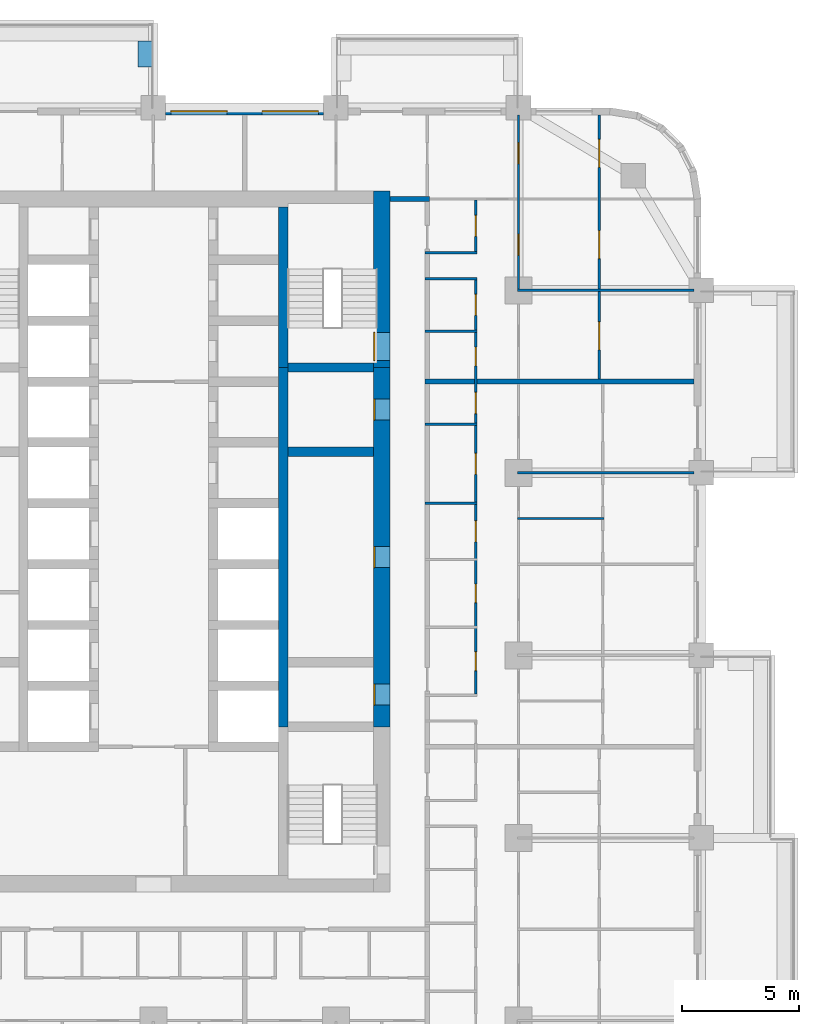
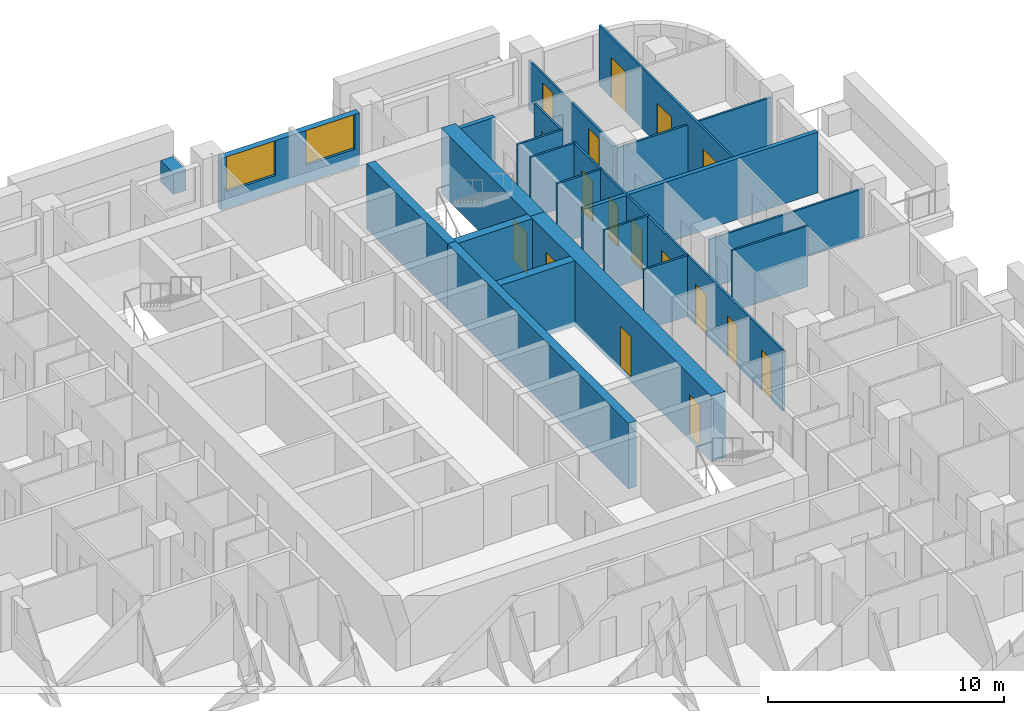
# One storey, part 12 of 17: 22 walls, 17 doors, 2 windows, 19 openings.
"""IFC4 building model written with IfcOpenShell, lengths in metres."""

from ifc_helpers import new_model, si_unit, direction, frame, frame_2d, origin, place, context, subcontext, project, spatial, rectangle, extrude, material, layer, layer_set, type_object, element, fill, save


model = new_model("IFC4")

# Units and contexts
model_context = context("Model", 3, precision=1e-05, world=origin(), true_north=direction((0.0, 1.0)))
body_context = subcontext(model_context, "Body", "Model", "MODEL_VIEW")
ifc_project = project(units=[si_unit("LENGTHUNIT", "METRE"), si_unit("AREAUNIT", "SQUARE_METRE"), si_unit("VOLUMEUNIT", "CUBIC_METRE"), si_unit("PLANEANGLEUNIT", "RADIAN"), si_unit("MASSUNIT", "GRAM", prefix="KILO")], contexts=[model_context])

# Site, building, storey
site_placement = place(None, origin())
site = spatial("IfcSite", under=ifc_project, at=site_placement, CompositionType="ELEMENT")
building_placement = place(site_placement, origin())
building = spatial("IfcBuilding", under=site, at=building_placement, Name="Ludao Terraces", CompositionType="ELEMENT")
storey_placement = place(building_placement, frame((0.0, 0.0, 22.89990234375)))
storey = spatial("IfcBuildingStorey", under=building, at=storey_placement, Name="L05", CompositionType="ELEMENT", Elevation=22.89990234375)

# Wall, openings, doors
ifc_material_1 = material(Name="Concrete C70", Category="concrete")
ifc_layer_1 = layer(ifc_material_1, 0.699951171875)
ifc_layer_set_1 = layer_set([ifc_layer_1], Name="Core wall 700 C70")
wall_type_1 = type_object("IfcWallType", Name="Core wall 700 C70", PredefinedType="SOLIDWALL", material=ifc_layer_set_1)
wall_1_placement = place(storey_placement, frame((94.75, 61.949951171875, -0.25), z_axis=(0.0, 0.0, 1.0), x_axis=(0.0, 1.0, 0.0)))
wall_1 = element("IfcWall", 1, at=wall_1_placement, inside=storey, type_object=wall_type_1, Name="Core wall L05 outer-E", PredefinedType="SOLIDWALL", context=body_context, shape_type="SweptSolid", body=[
    extrude(rectangle(XDim=15.35009765625, YDim=0.699951171875, at=frame_2d((7.675048828125, 0.0))), origin(), (0.0, 0.0, 1.0), 3.400146484375),
])
opening_1_placement = place(wall_1_placement, frame((0.925048828125, 0.0, 0.25)))
opening_1 = element("IfcOpeningElement", 2, at=opening_1_placement, cuts=wall_1, Name="Opening R01-078", PredefinedType="OPENING", context=body_context, shape_type="SweptSolid", body=[
    extrude(rectangle(XDim=0.89990234375, YDim=2.10009765625, at=frame_2d((0.449951171875, 1.050048828125))), frame((0.0, 0.35986328125, 0.0), z_axis=(0.0, -1.0, 0.0), x_axis=(1.0, 0.0, 0.0)), (0.0, 0.0, 1.0), 0.719970703125),
])
opening_2_placement = place(wall_1_placement, frame((6.800048828125, 0.0, 0.25)))
opening_2 = element("IfcOpeningElement", 3, at=opening_2_placement, cuts=wall_1, Name="Opening R01-095", PredefinedType="OPENING", context=body_context, shape_type="SweptSolid", body=[
    extrude(rectangle(XDim=0.89990234375, YDim=2.10009765625, at=frame_2d((0.449951171875, 1.050048828125))), frame((0.0, 0.35986328125, 0.0), z_axis=(0.0, -1.0, 0.0), x_axis=(1.0, 0.0, 0.0)), (0.0, 0.0, 1.0), 0.719970703125),
])
opening_3_placement = place(wall_1_placement, frame((13.10009765625, 0.0, 0.25)))
opening_3 = element("IfcOpeningElement", 4, at=opening_3_placement, cuts=wall_1, Name="Opening R01-118", PredefinedType="OPENING", context=body_context, shape_type="SweptSolid", body=[
    extrude(rectangle(XDim=0.89990234375, YDim=2.10009765625, at=frame_2d((0.449951171875, 1.050048828125))), frame((0.0, 0.35986328125, 0.0), z_axis=(0.0, -1.0, 0.0), x_axis=(1.0, 0.0, 0.0)), (0.0, 0.0, 1.0), 0.719970703125),
])
ifc_material_2 = material(Name="Steel Q235", Category="steel")
door_type_1 = type_object("IfcDoorType", Name="INT Riser door 900", OperationType="SINGLE_SWING_LEFT", PredefinedType="DOOR", material=ifc_material_2)
door_1_placement = place(opening_1_placement, origin())
door_1 = element("IfcDoor", 5, at=door_1_placement, inside=storey, type_object=door_type_1, Name="DOOR 078", OperationType="SINGLE_SWING_LEFT", OverallHeight=2.10009765625, OverallWidth=0.89990234375, PredefinedType="DOOR", context=body_context, shape_type="SweptSolid", body=[
    extrude(rectangle(XDim=0.89990234375, YDim=2.10009765625, at=frame_2d((0.449951171875, 1.050048828125))), frame((0.0, 0.3349609375, 0.0), z_axis=(0.0, -1.0, 0.0), x_axis=(1.0, 0.0, 0.0)), (0.0, 0.0, 1.0), 0.050048828125),
])
fill(opening_1, door_1)
door_2_placement = place(opening_3_placement, origin())
door_2 = element("IfcDoor", 6, at=door_2_placement, inside=storey, type_object=door_type_1, Name="DOOR 118", OperationType="SINGLE_SWING_LEFT", OverallHeight=2.10009765625, OverallWidth=0.89990234375, PredefinedType="DOOR", context=body_context, shape_type="SweptSolid", body=[
    extrude(rectangle(XDim=0.89990234375, YDim=2.10009765625, at=frame_2d((0.449951171875, 1.050048828125))), frame((0.0, 0.3349609375, 0.0), z_axis=(0.0, -1.0, 0.0), x_axis=(1.0, 0.0, 0.0)), (0.0, 0.0, 1.0), 0.050048828125),
])
fill(opening_3, door_2)
ifc_material_3 = material(Name="Timber door leaf", Category="wood")
door_type_2 = type_object("IfcDoorType", Name="INT Room door 900", OperationType="SINGLE_SWING_LEFT", PredefinedType="DOOR", material=ifc_material_3)
door_3_placement = place(opening_2_placement, origin())
door_3 = element("IfcDoor", 7, at=door_3_placement, inside=storey, type_object=door_type_2, Name="DOOR 095", OperationType="SINGLE_SWING_LEFT", OverallHeight=2.10009765625, OverallWidth=0.89990234375, PredefinedType="DOOR", context=body_context, shape_type="SweptSolid", body=[
    extrude(rectangle(XDim=0.89990234375, YDim=2.10009765625, at=frame_2d((0.449951171875, 1.050048828125))), frame((0.0, 0.3349609375, 0.0), z_axis=(0.0, -1.0, 0.0), x_axis=(1.0, 0.0, 0.0)), (0.0, 0.0, 1.0), 0.050048828125),
])
fill(opening_2, door_3)

# Wall, opening, door
wall_2_placement = place(storey_placement, frame((94.75, 77.300048828125, -0.25), z_axis=(0.0, 0.0, 1.0), x_axis=(0.0, 1.0, 0.0)))
wall_2 = element("IfcWall", 8, at=wall_2_placement, inside=storey, type_object=wall_type_1, Name="Core wall L05 outer-E-S2", PredefinedType="SOLIDWALL", context=body_context, shape_type="SweptSolid", body=[
    extrude(rectangle(XDim=7.550048828125, YDim=0.699951171875, at=frame_2d((3.77490234375, 0.0))), origin(), (0.0, 0.0, 1.0), 3.400146484375),
])
opening_4_placement = place(wall_2_placement, frame((0.300048828125, 0.0, 0.25)))
opening_4 = element("IfcOpeningElement", 9, at=opening_4_placement, cuts=wall_2, Name="Opening R01-128", PredefinedType="OPENING", context=body_context, shape_type="SweptSolid", body=[
    extrude(rectangle(XDim=1.199951171875, YDim=2.10009765625, at=frame_2d((0.60009765625, 1.050048828125))), frame((0.0, 0.35986328125, 0.0), z_axis=(0.0, -1.0, 0.0), x_axis=(1.0, 0.0, 0.0)), (0.0, 0.0, 1.0), 0.719970703125),
])
door_type_3 = type_object("IfcDoorType", Name="INT Stair door 1200", OperationType="DOUBLE_DOOR_SINGLE_SWING", PredefinedType="DOOR", material=ifc_material_2)
door_4_placement = place(opening_4_placement, origin())
door_4 = element("IfcDoor", 10, at=door_4_placement, inside=storey, type_object=door_type_3, Name="DOOR 128", OperationType="DOUBLE_DOOR_SINGLE_SWING", OverallHeight=2.10009765625, OverallWidth=1.199951171875, PredefinedType="DOOR", context=body_context, shape_type="SweptSolid", body=[
    extrude(rectangle(XDim=1.199951171875, YDim=2.10009765625, at=frame_2d((0.60009765625, 1.050048828125))), frame((0.0, 0.3349609375, 0.0), z_axis=(0.0, -1.0, 0.0), x_axis=(1.0, 0.0, 0.0)), (0.0, 0.0, 1.0), 0.050048828125),
])
fill(opening_4, door_4)

# Wall
ifc_material_4 = material(Name="Concrete C40", Category="concrete")
ifc_layer_2 = layer(ifc_material_4, 0.60009765625)
ifc_layer_set_2 = layer_set([ifc_layer_2], Name="ENV Planter trough 600")
wall_type_2 = type_object("IfcWallType", Name="ENV Planter trough 600", PredefinedType="USERDEFINED", material=ifc_layer_set_2)
wall_3_placement = place(storey_placement, frame((84.64990234375, 91.25, 0.0), z_axis=(0.0, 0.0, 1.0), x_axis=(0.0, -1.0, 0.0)))
element("IfcWall", 11, at=wall_3_placement, inside=storey, type_object=wall_type_2, Name="PL-L05-N2-SB", ObjectType="PLANTER", PredefinedType="USERDEFINED", context=body_context, shape_type="SweptSolid", body=[
    extrude(rectangle(XDim=1.10009765625, YDim=0.60009765625, at=frame_2d((0.550048828125, 0.0))), origin(), (0.0, 0.0, 1.0), 1.10009765625),
])

# Wall, openings, windows
ifc_material_5 = material(Name="Granite cladding", Category="masonry")
ifc_layer_3 = layer(ifc_material_5, 0.0400390625, Category="stone")
ifc_material_6 = material(Name="Mineral wool")
ifc_layer_4 = layer(ifc_material_6, 0.06005859375)
ifc_layer_5 = layer(ifc_material_4, 0.199951171875, Category="concrete")
ifc_layer_set_3 = layer_set([ifc_layer_3, ifc_layer_4, ifc_layer_5], Name="ENV Stone-clad wall 300")
wall_type_3 = type_object("IfcWallType", Name="ENV Stone-clad wall 300", PredefinedType="SOLIDWALL", material=ifc_layer_set_3)
wall_4_placement = place(storey_placement, frame((85.52490234375, 88.25, 0.0), z_axis=(0.0, 0.0, 1.0), x_axis=(1.0, 0.0, 0.0)))
wall_4 = element("IfcWall", 12, at=wall_4_placement, inside=storey, type_object=wall_type_3, Name="EW-L05-N4", PredefinedType="SOLIDWALL", context=body_context, shape_type="SweptSolid", body=[
    extrude(rectangle(XDim=6.75, YDim=0.300048828125, at=frame_2d((3.375, 0.0))), origin(), (0.0, 0.0, 1.0), 2.7001953125),
])
opening_5_placement = place(wall_4_placement, frame((0.22509765625, 0.0, 0.89990234375)))
opening_5 = element("IfcOpeningElement", 13, at=opening_5_placement, cuts=wall_4, Name="Opening W1", PredefinedType="OPENING", context=body_context, shape_type="SweptSolid", body=[
    extrude(rectangle(XDim=2.39990234375, YDim=1.800048828125, at=frame_2d((1.199951171875, 0.89990234375))), frame((0.0, 0.16015625, 0.0), z_axis=(0.0, -1.0, 0.0), x_axis=(1.0, 0.0, 0.0)), (0.0, 0.0, 1.0), 0.320068359375),
])
opening_6_placement = place(wall_4_placement, frame((4.125, 0.0, 0.89990234375)))
opening_6 = element("IfcOpeningElement", 14, at=opening_6_placement, cuts=wall_4, Name="Opening W1", PredefinedType="OPENING", context=body_context, shape_type="SweptSolid", body=[
    extrude(rectangle(XDim=2.39990234375, YDim=1.800048828125, at=frame_2d((1.199951171875, 0.89990234375))), frame((0.0, 0.16015625, 0.0), z_axis=(0.0, -1.0, 0.0), x_axis=(1.0, 0.0, 0.0)), (0.0, 0.0, 1.0), 0.320068359375),
])
ifc_material_7 = material(Name="Clear glass in aluminium frame", Category="aluminium")
ifc_layer_6 = layer(ifc_material_7, 0.06005859375)
ifc_layer_set_4 = layer_set([ifc_layer_6], Name="ENV Window W1 2400x1800")
window_type = type_object("IfcWindowType", Name="ENV Window W1 2400x1800", PartitioningType="DOUBLE_PANEL_VERTICAL", PredefinedType="WINDOW", material=ifc_layer_set_4)
window_1_placement = place(opening_5_placement, origin())
window_1 = element("IfcWindow", 15, at=window_1_placement, inside=storey, type_object=window_type, Name="W-L05-N4-1", OverallHeight=1.800048828125, OverallWidth=2.39990234375, PartitioningType="DOUBLE_PANEL_VERTICAL", PredefinedType="WINDOW", context=body_context, shape_type="SweptSolid", body=[
    extrude(rectangle(XDim=2.39990234375, YDim=1.800048828125, at=frame_2d((1.199951171875, 0.89990234375))), frame((0.0, 0.030029296875, 0.0), z_axis=(0.0, -1.0, 0.0), x_axis=(1.0, 0.0, 0.0)), (0.0, 0.0, 1.0), 0.06005859375),
])
fill(opening_5, window_1)
window_2_placement = place(opening_6_placement, origin())
window_2 = element("IfcWindow", 16, at=window_2_placement, inside=storey, type_object=window_type, Name="W-L05-N4-2", OverallHeight=1.800048828125, OverallWidth=2.39990234375, PartitioningType="DOUBLE_PANEL_VERTICAL", PredefinedType="WINDOW", context=body_context, shape_type="SweptSolid", body=[
    extrude(rectangle(XDim=2.39990234375, YDim=1.800048828125, at=frame_2d((1.199951171875, 0.89990234375))), frame((0.0, 0.030029296875, 0.0), z_axis=(0.0, -1.0, 0.0), x_axis=(1.0, 0.0, 0.0)), (0.0, 0.0, 1.0), 0.06005859375),
])
fill(opening_6, window_2)

# Walls
ifc_material_8 = material(Name="Autoclaved aerated concrete block B06 A3.5", Category="concrete")
ifc_layer_7 = layer(ifc_material_8, 0.199951171875)
ifc_layer_set_5 = layer_set([ifc_layer_7], Name="INT Entrance wall 200")
wall_type_4 = type_object("IfcWallType", Name="INT Entrance wall 200", PredefinedType="PARTITIONING", material=ifc_layer_set_5)
wall_5_placement = place(storey_placement, frame((95.10009765625, 84.5, 0.0), z_axis=(0.0, 0.0, 1.0), x_axis=(1.0, 0.0, 0.0)))
element("IfcWall", 17, at=wall_5_placement, inside=storey, type_object=wall_type_4, Name="PW-L05-PW071", PredefinedType="PARTITIONING", context=body_context, shape_type="SweptSolid", body=[
    extrude(rectangle(XDim=1.699951171875, YDim=0.199951171875, at=frame_2d((0.85009765625, 0.0))), origin(), (0.0, 0.0, 1.0), 3.150146484375),
])
ifc_material_9 = material(Name="Gypsum plasterboard", Category="gypsum")
ifc_layer_8 = layer(ifc_material_9, 0.012451171875, Category="gypsum")
ifc_layer_9 = layer(ifc_material_6, 0.06005859375, Name="insulation")
ifc_layer_10 = layer(ifc_material_2, 0.014892578125, Name="stud")
ifc_layer_11 = layer(ifc_material_9, 0.012451171875, Category="gypsum")
ifc_layer_set_6 = layer_set([ifc_layer_8, ifc_layer_9, ifc_layer_10, ifc_layer_11], Name="INT Partition 100")
wall_type_5 = type_object("IfcWallType", Name="INT Partition 100", PredefinedType="PARTITIONING", material=ifc_layer_set_6)
wall_6_placement = place(storey_placement, frame((100.550048828125, 70.85009765625, 0.0), z_axis=(0.0, 0.0, 1.0), x_axis=(1.0, 0.0, 0.0)))
element("IfcWall", 18, at=wall_6_placement, inside=storey, type_object=wall_type_5, Name="PW-L05-PW050", PredefinedType="PARTITIONING", context=body_context, shape_type="SweptSolid", body=[
    extrude(rectangle(XDim=3.699951171875, YDim=0.10009765625, at=frame_2d((1.85009765625, 0.0))), origin(), (0.0, 0.0, 1.0), 3.150146484375),
])
wall_7_placement = place(storey_placement, frame((96.60009765625, 71.5, 0.0), z_axis=(0.0, 0.0, 1.0), x_axis=(1.0, 0.0, 0.0)))
element("IfcWall", 19, at=wall_7_placement, inside=storey, type_object=wall_type_5, Name="PW-L05-PW052", PredefinedType="PARTITIONING", context=body_context, shape_type="SweptSolid", body=[
    extrude(rectangle(XDim=2.219970703125, YDim=0.10009765625, at=frame_2d((1.10986328125, 0.0))), origin(), (0.0, 0.0, 1.0), 3.150146484375),
])
wall_8_placement = place(storey_placement, frame((100.550048828125, 72.800048828125, 0.0), z_axis=(0.0, 0.0, 1.0), x_axis=(1.0, 0.0, 0.0)))
element("IfcWall", 20, at=wall_8_placement, inside=storey, type_object=wall_type_5, Name="PW-L05-PW054", PredefinedType="PARTITIONING", context=body_context, shape_type="SweptSolid", body=[
    extrude(rectangle(XDim=7.550048828125, YDim=0.10009765625, at=frame_2d((3.77490234375, 0.0))), origin(), (0.0, 0.0, 1.0), 2.550048828125),
])
for number, where, z_axis, x_axis, name in (
    (21, (96.60009765625, 74.8701171875, 0.0), (0.0, 0.0, 1.0), (1.0, 0.0, 0.0), "PW-L05-PW056"),
    (22, (96.60009765625, 78.85009765625, 0.0), (0.0, 0.0, 1.0), (1.0, 0.0, 0.0), "PW-L05-PW062"),
):
    element("IfcWall", number, at=place(storey_placement, frame(where, z_axis=z_axis, x_axis=x_axis)), inside=storey, type_object=wall_type_5, Name=name, PredefinedType="PARTITIONING", context=body_context, shape_type="SweptSolid", body=[
        extrude(rectangle(XDim=2.219970703125, YDim=0.10009765625, at=frame_2d((1.10986328125, 0.0))), origin(), (0.0, 0.0, 1.0), 3.150146484375),
    ])
wall_9_placement = place(storey_placement, frame((100.550048828125, 80.60009765625, 0.0), z_axis=(0.0, 0.0, 1.0), x_axis=(1.0, 0.0, 0.0)))
element("IfcWall", 23, at=wall_9_placement, inside=storey, type_object=wall_type_5, Name="PW-L05-PW065", PredefinedType="PARTITIONING", context=body_context, shape_type="SweptSolid", body=[
    extrude(rectangle(XDim=7.550048828125, YDim=0.10009765625, at=frame_2d((3.77490234375, 0.0))), origin(), (0.0, 0.0, 1.0), 2.550048828125),
])
for number, where, z_axis, x_axis, name in (
    (24, (96.60009765625, 81.10009765625, 0.0), (0.0, 0.0, 1.0), (1.0, 0.0, 0.0), "PW-L05-PW066"),
    (25, (96.60009765625, 82.199951171875, 0.0), (0.0, 0.0, 1.0), (1.0, 0.0, 0.0), "PW-L05-PW068"),
):
    element("IfcWall", number, at=place(storey_placement, frame(where, z_axis=z_axis, x_axis=x_axis)), inside=storey, type_object=wall_type_5, Name=name, PredefinedType="PARTITIONING", context=body_context, shape_type="SweptSolid", body=[
        extrude(rectangle(XDim=2.219970703125, YDim=0.10009765625, at=frame_2d((1.10986328125, 0.0))), origin(), (0.0, 0.0, 1.0), 3.150146484375),
    ])

# Wall, openings, doors
wall_10_placement = place(storey_placement, frame((98.77001953125, 63.35009765625, 0.0), z_axis=(0.0, 0.0, 1.0), x_axis=(0.0, 1.0, 0.0)))
wall_10 = element("IfcWall", 26, at=wall_10_placement, inside=storey, type_object=wall_type_5, Name="PW-L05-PW114", PredefinedType="PARTITIONING", context=body_context, shape_type="SweptSolid", body=[
    extrude(rectangle(XDim=17.699951171875, YDim=0.10009765625, at=frame_2d((8.85009765625, 0.0))), origin(), (0.0, 0.0, 1.0), 3.150146484375),
])
opening_7_placement = place(wall_10_placement, frame((1.0, 0.0, 0.0)))
opening_7 = element("IfcOpeningElement", 27, at=opening_7_placement, cuts=wall_10, Name="Opening R01-083", PredefinedType="OPENING", context=body_context, shape_type="SweptSolid", body=[
    extrude(rectangle(XDim=0.800048828125, YDim=2.10009765625, at=frame_2d((0.39990234375, 1.050048828125))), frame((0.0, 0.06005859375, 0.0), z_axis=(0.0, -1.0, 0.0), x_axis=(1.0, 0.0, 0.0)), (0.0, 0.0, 1.0), 0.1201171875),
])
opening_8_placement = place(wall_10_placement, frame((3.89990234375, 0.0, 0.0)))
opening_8 = element("IfcOpeningElement", 28, at=opening_8_placement, cuts=wall_10, Name="Opening R01-092", PredefinedType="OPENING", context=body_context, shape_type="SweptSolid", body=[
    extrude(rectangle(XDim=0.800048828125, YDim=2.10009765625, at=frame_2d((0.39990234375, 1.050048828125))), frame((0.0, 0.06005859375, 0.0), z_axis=(0.0, -1.0, 0.0), x_axis=(1.0, 0.0, 0.0)), (0.0, 0.0, 1.0), 0.1201171875),
])
opening_9_placement = place(wall_10_placement, frame((6.5, 0.0, 0.0)))
opening_9 = element("IfcOpeningElement", 29, at=opening_9_placement, cuts=wall_10, Name="Opening R01-100", PredefinedType="OPENING", context=body_context, shape_type="SweptSolid", body=[
    extrude(rectangle(XDim=0.89990234375, YDim=2.10009765625, at=frame_2d((0.449951171875, 1.050048828125))), frame((0.0, 0.06005859375, 0.0), z_axis=(0.0, -1.0, 0.0), x_axis=(1.0, 0.0, 0.0)), (0.0, 0.0, 1.0), 0.1201171875),
])
opening_10_placement = place(wall_10_placement, frame((9.385009765625, 0.0, 0.0)))
opening_10 = element("IfcOpeningElement", 30, at=opening_10_placement, cuts=wall_10, Name="Opening R01-110", PredefinedType="OPENING", context=body_context, shape_type="SweptSolid", body=[
    extrude(rectangle(XDim=0.89990234375, YDim=2.10009765625, at=frame_2d((0.449951171875, 1.050048828125))), frame((0.0, 0.06005859375, 0.0), z_axis=(0.0, -1.0, 0.0), x_axis=(1.0, 0.0, 0.0)), (0.0, 0.0, 1.0), 0.1201171875),
])
opening_11_placement = place(wall_10_placement, frame((11.985107421875, 0.0, 0.0)))
opening_11 = element("IfcOpeningElement", 31, at=opening_11_placement, cuts=wall_10, Name="Opening R01-120", PredefinedType="OPENING", context=body_context, shape_type="SweptSolid", body=[
    extrude(rectangle(XDim=0.89990234375, YDim=2.10009765625, at=frame_2d((0.449951171875, 1.050048828125))), frame((0.0, 0.06005859375, 0.0), z_axis=(0.0, -1.0, 0.0), x_axis=(1.0, 0.0, 0.0)), (0.0, 0.0, 1.0), 0.1201171875),
])
opening_12_placement = place(wall_10_placement, frame((14.02490234375, 0.0, 0.0)))
opening_12 = element("IfcOpeningElement", 32, at=opening_12_placement, cuts=wall_10, Name="Opening R01-124", PredefinedType="OPENING", context=body_context, shape_type="SweptSolid", body=[
    extrude(rectangle(XDim=0.800048828125, YDim=2.10009765625, at=frame_2d((0.39990234375, 1.050048828125))), frame((0.0, 0.06005859375, 0.0), z_axis=(0.0, -1.0, 0.0), x_axis=(1.0, 0.0, 0.0)), (0.0, 0.0, 1.0), 0.1201171875),
])
opening_13_placement = place(wall_10_placement, frame((16.175048828125, 0.0, 0.0)))
opening_13 = element("IfcOpeningElement", 33, at=opening_13_placement, cuts=wall_10, Name="Opening R01-134", PredefinedType="OPENING", context=body_context, shape_type="SweptSolid", body=[
    extrude(rectangle(XDim=0.89990234375, YDim=2.10009765625, at=frame_2d((0.449951171875, 1.050048828125))), frame((0.0, 0.06005859375, 0.0), z_axis=(0.0, -1.0, 0.0), x_axis=(1.0, 0.0, 0.0)), (0.0, 0.0, 1.0), 0.1201171875),
])
door_type_4 = type_object("IfcDoorType", Name="INT Bathroom door 900", OperationType="SINGLE_SWING_LEFT", PredefinedType="DOOR", material=ifc_material_3)
door_5_placement = place(opening_9_placement, origin())
door_5 = element("IfcDoor", 34, at=door_5_placement, inside=storey, type_object=door_type_4, Name="DOOR 100", OperationType="SINGLE_SWING_LEFT", OverallHeight=2.10009765625, OverallWidth=0.89990234375, PredefinedType="DOOR", context=body_context, shape_type="SweptSolid", body=[
    extrude(rectangle(XDim=0.89990234375, YDim=2.10009765625, at=frame_2d((0.449951171875, 1.050048828125))), frame((0.0, 0.02490234375, 0.0), z_axis=(0.0, -1.0, 0.0), x_axis=(1.0, 0.0, 0.0)), (0.0, 0.0, 1.0), 0.050048828125),
])
fill(opening_9, door_5)
door_6_placement = place(opening_11_placement, origin())
door_6 = element("IfcDoor", 35, at=door_6_placement, inside=storey, type_object=door_type_4, Name="DOOR 120", OperationType="SINGLE_SWING_RIGHT", OverallHeight=2.10009765625, OverallWidth=0.89990234375, PredefinedType="DOOR", context=body_context, shape_type="SweptSolid", body=[
    extrude(rectangle(XDim=0.89990234375, YDim=2.10009765625, at=frame_2d((0.449951171875, 1.050048828125))), frame((0.0, 0.02490234375, 0.0), z_axis=(0.0, -1.0, 0.0), x_axis=(1.0, 0.0, 0.0)), (0.0, 0.0, 1.0), 0.050048828125),
])
fill(opening_11, door_6)
door_7_placement = place(opening_13_placement, origin())
door_7 = element("IfcDoor", 36, at=door_7_placement, inside=storey, type_object=door_type_4, Name="DOOR 134", OperationType="SINGLE_SWING_RIGHT", OverallHeight=2.10009765625, OverallWidth=0.89990234375, PredefinedType="DOOR", context=body_context, shape_type="SweptSolid", body=[
    extrude(rectangle(XDim=0.89990234375, YDim=2.10009765625, at=frame_2d((0.449951171875, 1.050048828125))), frame((0.0, 0.02490234375, 0.0), z_axis=(0.0, -1.0, 0.0), x_axis=(1.0, 0.0, 0.0)), (0.0, 0.0, 1.0), 0.050048828125),
])
fill(opening_13, door_7)
door_8_placement = place(opening_10_placement, origin())
door_8 = element("IfcDoor", 37, at=door_8_placement, inside=storey, type_object=door_type_2, Name="DOOR 110", OperationType="SINGLE_SWING_RIGHT", OverallHeight=2.10009765625, OverallWidth=0.89990234375, PredefinedType="DOOR", context=body_context, shape_type="SweptSolid", body=[
    extrude(rectangle(XDim=0.89990234375, YDim=2.10009765625, at=frame_2d((0.449951171875, 1.050048828125))), frame((0.0, 0.02490234375, 0.0), z_axis=(0.0, -1.0, 0.0), x_axis=(1.0, 0.0, 0.0)), (0.0, 0.0, 1.0), 0.050048828125),
])
fill(opening_10, door_8)
door_type_5 = type_object("IfcDoorType", Name="INT Store door 800", OperationType="SINGLE_SWING_LEFT", PredefinedType="DOOR", material=ifc_material_3)
door_9_placement = place(opening_7_placement, origin())
door_9 = element("IfcDoor", 38, at=door_9_placement, inside=storey, type_object=door_type_5, Name="DOOR 083", OperationType="SINGLE_SWING_LEFT", OverallHeight=2.10009765625, OverallWidth=0.800048828125, PredefinedType="DOOR", context=body_context, shape_type="SweptSolid", body=[
    extrude(rectangle(XDim=0.800048828125, YDim=2.10009765625, at=frame_2d((0.39990234375, 1.050048828125))), frame((0.0, 0.02490234375, 0.0), z_axis=(0.0, -1.0, 0.0), x_axis=(1.0, 0.0, 0.0)), (0.0, 0.0, 1.0), 0.050048828125),
])
fill(opening_7, door_9)
door_10_placement = place(opening_8_placement, origin())
door_10 = element("IfcDoor", 39, at=door_10_placement, inside=storey, type_object=door_type_5, Name="DOOR 092", OperationType="SINGLE_SWING_LEFT", OverallHeight=2.10009765625, OverallWidth=0.800048828125, PredefinedType="DOOR", context=body_context, shape_type="SweptSolid", body=[
    extrude(rectangle(XDim=0.800048828125, YDim=2.10009765625, at=frame_2d((0.39990234375, 1.050048828125))), frame((0.0, 0.02490234375, 0.0), z_axis=(0.0, -1.0, 0.0), x_axis=(1.0, 0.0, 0.0)), (0.0, 0.0, 1.0), 0.050048828125),
])
fill(opening_8, door_10)
door_11_placement = place(opening_12_placement, origin())
door_11 = element("IfcDoor", 40, at=door_11_placement, inside=storey, type_object=door_type_5, Name="DOOR 124", OperationType="SINGLE_SWING_LEFT", OverallHeight=2.10009765625, OverallWidth=0.800048828125, PredefinedType="DOOR", context=body_context, shape_type="SweptSolid", body=[
    extrude(rectangle(XDim=0.800048828125, YDim=2.10009765625, at=frame_2d((0.39990234375, 1.050048828125))), frame((0.0, 0.02490234375, 0.0), z_axis=(0.0, -1.0, 0.0), x_axis=(1.0, 0.0, 0.0)), (0.0, 0.0, 1.0), 0.050048828125),
])
fill(opening_12, door_11)

# Wall, opening, door
wall_11_placement = place(storey_placement, frame((98.77001953125, 82.25, 0.0), z_axis=(0.0, 0.0, 1.0), x_axis=(0.0, 1.0, 0.0)))
wall_11 = element("IfcWall", 41, at=wall_11_placement, inside=storey, type_object=wall_type_5, Name="PW-L05-PW115", PredefinedType="PARTITIONING", context=body_context, shape_type="SweptSolid", body=[
    extrude(rectangle(XDim=2.2001953125, YDim=0.10009765625, at=frame_2d((1.10009765625, 0.0))), origin(), (0.0, 0.0, 1.0), 3.150146484375),
])
opening_14_placement = place(wall_11_placement, frame((0.650146484375, 0.0, 0.0)))
opening_14 = element("IfcOpeningElement", 42, at=opening_14_placement, cuts=wall_11, Name="Opening R01-146", PredefinedType="OPENING", context=body_context, shape_type="SweptSolid", body=[
    extrude(rectangle(XDim=0.89990234375, YDim=2.10009765625, at=frame_2d((0.449951171875, 1.050048828125))), frame((0.0, 0.06005859375, 0.0), z_axis=(0.0, -1.0, 0.0), x_axis=(1.0, 0.0, 0.0)), (0.0, 0.0, 1.0), 0.1201171875),
])
door_12_placement = place(opening_14_placement, origin())
door_12 = element("IfcDoor", 43, at=door_12_placement, inside=storey, type_object=door_type_2, Name="DOOR 146", OperationType="SINGLE_SWING_RIGHT", OverallHeight=2.10009765625, OverallWidth=0.89990234375, PredefinedType="DOOR", context=body_context, shape_type="SweptSolid", body=[
    extrude(rectangle(XDim=0.89990234375, YDim=2.10009765625, at=frame_2d((0.449951171875, 1.050048828125))), frame((0.0, 0.02490234375, 0.0), z_axis=(0.0, -1.0, 0.0), x_axis=(1.0, 0.0, 0.0)), (0.0, 0.0, 1.0), 0.050048828125),
])
fill(opening_14, door_12)

# Wall, openings, doors
wall_12_placement = place(storey_placement, frame((100.60009765625, 80.60009765625, 0.0), z_axis=(0.0, 0.0, 1.0), x_axis=(0.0, 1.0, 0.0)))
wall_12 = element("IfcWall", 44, at=wall_12_placement, inside=storey, type_object=wall_type_5, Name="PW-L05-PW116-3", PredefinedType="PARTITIONING", context=body_context, shape_type="SweptSolid", body=[
    extrude(rectangle(XDim=7.5, YDim=0.10009765625, at=frame_2d((3.75, 0.0))), origin(), (0.0, 0.0, 1.0), 2.550048828125),
])
opening_15_placement = place(wall_12_placement, frame((1.5, 0.0, 0.0)))
opening_15 = element("IfcOpeningElement", 45, at=opening_15_placement, cuts=wall_12, Name="Opening R01-140", PredefinedType="OPENING", context=body_context, shape_type="SweptSolid", body=[
    extrude(rectangle(XDim=0.89990234375, YDim=2.10009765625, at=frame_2d((0.449951171875, 1.050048828125))), frame((0.0, 0.06005859375, 0.0), z_axis=(0.0, -1.0, 0.0), x_axis=(1.0, 0.0, 0.0)), (0.0, 0.0, 1.0), 0.1201171875),
])
opening_16_placement = place(wall_12_placement, frame((5.39990234375, 0.0, 0.0)))
opening_16 = element("IfcOpeningElement", 46, at=opening_16_placement, cuts=wall_12, Name="Opening R01-157", PredefinedType="OPENING", context=body_context, shape_type="SweptSolid", body=[
    extrude(rectangle(XDim=0.89990234375, YDim=2.10009765625, at=frame_2d((0.449951171875, 1.050048828125))), frame((0.0, 0.06005859375, 0.0), z_axis=(0.0, -1.0, 0.0), x_axis=(1.0, 0.0, 0.0)), (0.0, 0.0, 1.0), 0.1201171875),
])
door_13_placement = place(opening_15_placement, origin())
door_13 = element("IfcDoor", 47, at=door_13_placement, inside=storey, type_object=door_type_2, Name="DOOR 140", OperationType="SINGLE_SWING_RIGHT", OverallHeight=2.10009765625, OverallWidth=0.89990234375, PredefinedType="DOOR", context=body_context, shape_type="SweptSolid", body=[
    extrude(rectangle(XDim=0.89990234375, YDim=2.10009765625, at=frame_2d((0.449951171875, 1.050048828125))), frame((0.0, 0.02490234375, 0.0), z_axis=(0.0, -1.0, 0.0), x_axis=(1.0, 0.0, 0.0)), (0.0, 0.0, 1.0), 0.050048828125),
])
fill(opening_15, door_13)
door_14_placement = place(opening_16_placement, origin())
door_14 = element("IfcDoor", 48, at=door_14_placement, inside=storey, type_object=door_type_2, Name="DOOR 157", OperationType="SINGLE_SWING_LEFT", OverallHeight=2.10009765625, OverallWidth=0.89990234375, PredefinedType="DOOR", context=body_context, shape_type="SweptSolid", body=[
    extrude(rectangle(XDim=0.89990234375, YDim=2.10009765625, at=frame_2d((0.449951171875, 1.050048828125))), frame((0.0, 0.02490234375, 0.0), z_axis=(0.0, -1.0, 0.0), x_axis=(1.0, 0.0, 0.0)), (0.0, 0.0, 1.0), 0.050048828125),
])
fill(opening_16, door_14)

wall_13_placement = place(storey_placement, frame((104.050048828125, 76.800048828125, 0.0), z_axis=(0.0, 0.0, 1.0), x_axis=(0.0, 1.0, 0.0)))
wall_13 = element("IfcWall", 49, at=wall_13_placement, inside=storey, type_object=wall_type_5, Name="PW-L05-PW118", PredefinedType="PARTITIONING", context=body_context, shape_type="SweptSolid", body=[
    extrude(rectangle(XDim=11.300048828125, YDim=0.10009765625, at=frame_2d((5.64990234375, 0.0))), origin(), (0.0, 0.0, 1.0), 3.150146484375),
])
opening_17_placement = place(wall_13_placement, frame((1.25, 0.0, 0.0)))
opening_17 = element("IfcOpeningElement", 50, at=opening_17_placement, cuts=wall_13, Name="Opening R01-130", PredefinedType="OPENING", context=body_context, shape_type="SweptSolid", body=[
    extrude(rectangle(XDim=1.199951171875, YDim=2.10009765625, at=frame_2d((0.60009765625, 1.050048828125))), frame((0.0, 0.06005859375, 0.0), z_axis=(0.0, -1.0, 0.0), x_axis=(1.0, 0.0, 0.0)), (0.0, 0.0, 1.0), 0.1201171875),
])
opening_18_placement = place(wall_13_placement, frame((5.14990234375, 0.0, 0.0)))
opening_18 = element("IfcOpeningElement", 51, at=opening_18_placement, cuts=wall_13, Name="Opening R01-141", PredefinedType="OPENING", context=body_context, shape_type="SweptSolid", body=[
    extrude(rectangle(XDim=1.199951171875, YDim=2.10009765625, at=frame_2d((0.60009765625, 1.050048828125))), frame((0.0, 0.06005859375, 0.0), z_axis=(0.0, -1.0, 0.0), x_axis=(1.0, 0.0, 0.0)), (0.0, 0.0, 1.0), 0.1201171875),
])
opening_19_placement = place(wall_13_placement, frame((9.050048828125, 0.0, 0.0)))
opening_19 = element("IfcOpeningElement", 52, at=opening_19_placement, cuts=wall_13, Name="Opening R01-158", PredefinedType="OPENING", context=body_context, shape_type="SweptSolid", body=[
    extrude(rectangle(XDim=1.199951171875, YDim=2.10009765625, at=frame_2d((0.60009765625, 1.050048828125))), frame((0.0, 0.06005859375, 0.0), z_axis=(0.0, -1.0, 0.0), x_axis=(1.0, 0.0, 0.0)), (0.0, 0.0, 1.0), 0.1201171875),
])
door_type_6 = type_object("IfcDoorType", Name="INT Double door 1200", OperationType="DOUBLE_DOOR_SINGLE_SWING", PredefinedType="DOOR", material=ifc_material_3)
door_15_placement = place(opening_17_placement, origin())
door_15 = element("IfcDoor", 53, at=door_15_placement, inside=storey, type_object=door_type_6, Name="DOOR 130", OperationType="DOUBLE_DOOR_SINGLE_SWING", OverallHeight=2.10009765625, OverallWidth=1.199951171875, PredefinedType="DOOR", context=body_context, shape_type="SweptSolid", body=[
    extrude(rectangle(XDim=1.199951171875, YDim=2.10009765625, at=frame_2d((0.60009765625, 1.050048828125))), frame((0.0, 0.02490234375, 0.0), z_axis=(0.0, -1.0, 0.0), x_axis=(1.0, 0.0, 0.0)), (0.0, 0.0, 1.0), 0.050048828125),
])
fill(opening_17, door_15)
door_16_placement = place(opening_18_placement, origin())
door_16 = element("IfcDoor", 54, at=door_16_placement, inside=storey, type_object=door_type_6, Name="DOOR 141", OperationType="DOUBLE_DOOR_SINGLE_SWING", OverallHeight=2.10009765625, OverallWidth=1.199951171875, PredefinedType="DOOR", context=body_context, shape_type="SweptSolid", body=[
    extrude(rectangle(XDim=1.199951171875, YDim=2.10009765625, at=frame_2d((0.60009765625, 1.050048828125))), frame((0.0, 0.02490234375, 0.0), z_axis=(0.0, -1.0, 0.0), x_axis=(1.0, 0.0, 0.0)), (0.0, 0.0, 1.0), 0.050048828125),
])
fill(opening_18, door_16)
door_17_placement = place(opening_19_placement, origin())
door_17 = element("IfcDoor", 55, at=door_17_placement, inside=storey, type_object=door_type_6, Name="DOOR 158", OperationType="DOUBLE_DOOR_SINGLE_SWING", OverallHeight=2.10009765625, OverallWidth=1.199951171875, PredefinedType="DOOR", context=body_context, shape_type="SweptSolid", body=[
    extrude(rectangle(XDim=1.199951171875, YDim=2.10009765625, at=frame_2d((0.60009765625, 1.050048828125))), frame((0.0, 0.02490234375, 0.0), z_axis=(0.0, -1.0, 0.0), x_axis=(1.0, 0.0, 0.0)), (0.0, 0.0, 1.0), 0.050048828125),
])
fill(opening_19, door_17)

# Walls
ifc_layer_12 = layer(ifc_material_8, 0.199951171875)
ifc_layer_set_7 = layer_set([ifc_layer_12], Name="INT Party wall 200")
wall_type_6 = type_object("IfcWallType", Name="INT Party wall 200", PredefinedType="PARTITIONING", material=ifc_layer_set_7)
wall_14_placement = place(storey_placement, frame((96.60009765625, 76.699951171875, 0.0), z_axis=(0.0, 0.0, 1.0), x_axis=(1.0, 0.0, 0.0)))
element("IfcWall", 56, at=wall_14_placement, inside=storey, type_object=wall_type_6, Name="PW-L05-PW059", PredefinedType="PARTITIONING", context=body_context, shape_type="SweptSolid", body=[
    extrude(rectangle(XDim=11.5, YDim=0.199951171875, at=frame_2d((5.75, 0.0))), origin(), (0.0, 0.0, 1.0), 3.150146484375),
])
ifc_material_10 = material(Name="Concrete C60", Category="concrete")
ifc_layer_13 = layer(ifc_material_10, 0.39990234375)
ifc_layer_set_8 = layer_set([ifc_layer_13], Name="Shaft wall 400 C60")
wall_type_7 = type_object("IfcWallType", Name="Shaft wall 400 C60", PredefinedType="SOLIDWALL", material=ifc_layer_set_8)
wall_15_placement = place(storey_placement, frame((90.550048828125, 61.949951171875, -0.25), z_axis=(0.0, 0.0, 1.0), x_axis=(0.0, 1.0, 0.0)))
element("IfcWall", 57, at=wall_15_placement, inside=storey, type_object=wall_type_7, Name="Core wall L05 back-E", PredefinedType="SOLIDWALL", context=body_context, shape_type="SweptSolid", body=[
    extrude(rectangle(XDim=15.35009765625, YDim=0.39990234375, at=frame_2d((7.675048828125, 0.0))), origin(), (0.0, 0.0, 1.0), 3.400146484375),
])
wall_16_placement = place(storey_placement, frame((90.550048828125, 77.300048828125, -0.25), z_axis=(0.0, 0.0, 1.0), x_axis=(0.0, 1.0, 0.0)))
element("IfcWall", 58, at=wall_16_placement, inside=storey, type_object=wall_type_7, Name="Core wall L05 back-E-S2", PredefinedType="SOLIDWALL", context=body_context, shape_type="SweptSolid", body=[
    extrude(rectangle(XDim=6.849853515625, YDim=0.39990234375, at=frame_2d((3.4248046875, 0.0))), origin(), (0.0, 0.0, 1.0), 3.400146484375),
])
for number, where, z_axis, x_axis, name in (
    (59, (90.75, 73.699951171875, -0.25), (0.0, 0.0, 1.0), (1.0, 0.0, 0.0), "Core wall L05 riser-b-E"),
    (60, (90.75, 77.300048828125, -0.25), (0.0, 0.0, 1.0), (1.0, 0.0, 0.0), "Core wall L05 stair-E"),
):
    element("IfcWall", number, at=place(storey_placement, frame(where, z_axis=z_axis, x_axis=x_axis)), inside=storey, type_object=wall_type_7, Name=name, PredefinedType="SOLIDWALL", context=body_context, shape_type="SweptSolid", body=[
        extrude(rectangle(XDim=3.64990234375, YDim=0.39990234375, at=frame_2d((1.824951171875, 0.0))), origin(), (0.0, 0.0, 1.0), 3.400146484375),
    ])

save(model, "model.ifc")
